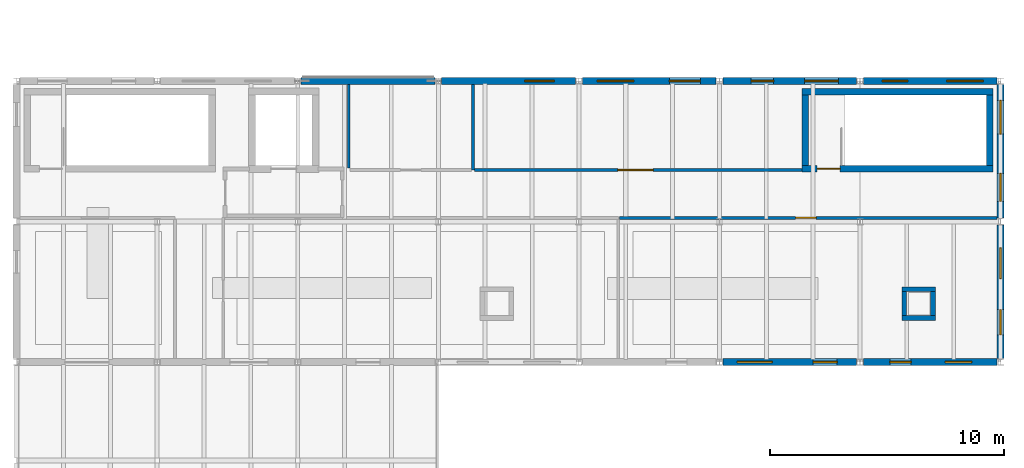
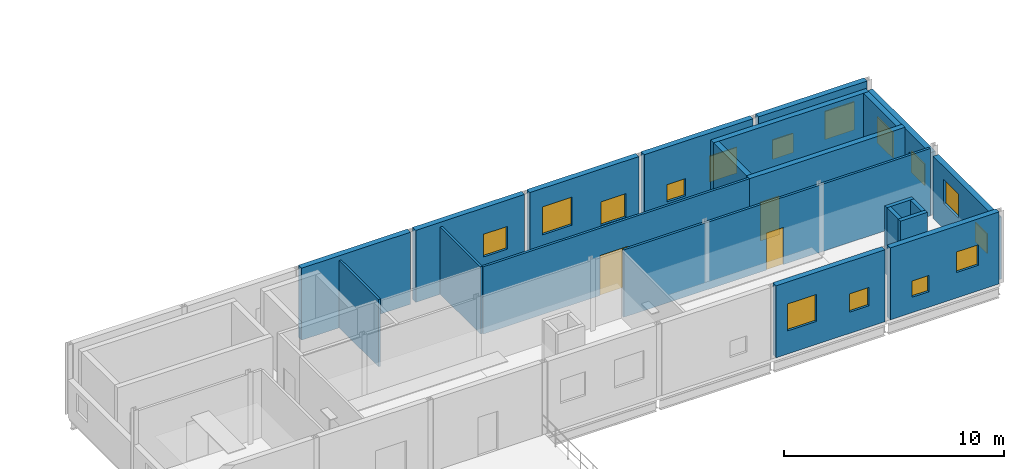
# One storey, part 35 of 45: 21 walls, 15 windows, 3 doors, 18 openings.
"""IFC4 building model written with IfcOpenShell, lengths in metres."""

from ifc_helpers import new_model, si_unit, direction, frame, frame_2d, origin, place, context, subcontext, project, spatial, rectangle, extrude, material, layer, layer_set, type_object, element, fill, save


model = new_model("IFC4")

# Units and contexts
model_context = context("Model", 3, precision=1e-05, world=origin(), true_north=direction((0.0, 1.0)))
body_context = subcontext(model_context, "Body", "Model", "MODEL_VIEW")
ifc_project = project(units=[si_unit("LENGTHUNIT", "METRE"), si_unit("AREAUNIT", "SQUARE_METRE"), si_unit("VOLUMEUNIT", "CUBIC_METRE"), si_unit("PLANEANGLEUNIT", "RADIAN"), si_unit("MASSUNIT", "GRAM", prefix="KILO")], contexts=[model_context])

# Site, building, storey
site_placement = place(None, origin())
site = spatial("IfcSite", under=ifc_project, at=site_placement, CompositionType="ELEMENT")
building_placement = place(site_placement, origin())
building = spatial("IfcBuilding", under=site, at=building_placement, Name="Siltcreek Boulevard Central Fire Station", CompositionType="ELEMENT")
storey_placement = place(building_placement, frame((0.0, 0.0, 10.0)))
storey = spatial("IfcBuildingStorey", under=building, at=storey_placement, Name="L03", CompositionType="ELEMENT", Elevation=10.0)

# Wall, opening, door
ifc_material_1 = material(Name="Concrete C40/50", Category="concrete")
ifc_layer_1 = layer(ifc_material_1, 0.280029296875, Name="Concrete C40/50")
ifc_layer_set_1 = layer_set([ifc_layer_1], Name="Concrete C40/50")
wall_type_1 = type_object("IfcWallType", Name="CW_SHEAR280", PredefinedType="SHEAR", material=ifc_layer_set_1)
wall_1_placement = place(storey_placement, frame((157.719970703125, 26.260009765625, 0.0), z_axis=(0.0, 0.0, 1.0), x_axis=(1.0, 0.0, 0.0)))
wall_1 = element("IfcWall", 1, at=wall_1_placement, inside=storey, type_object=wall_type_1, Name="L03 ST-V6B stair enclosure south shear wall", PredefinedType="SHEAR", context=body_context, shape_type="SweptSolid", body=[
    extrude(rectangle(XDim=8.159912109375, YDim=0.280029296875, at=frame_2d((4.080078125, 0.0))), origin(), (0.0, 0.0, 1.0), 3.75),
])
opening_1_placement = place(wall_1_placement, frame((0.64990234375, 0.0, 0.0)))
opening_1 = element("IfcOpeningElement", 2, at=opening_1_placement, cuts=wall_1, Name="Opening SD-049", PredefinedType="OPENING", context=body_context, shape_type="SweptSolid", body=[
    extrude(rectangle(XDim=0.97998046875, YDim=2.14990234375, at=frame_2d((0.489990234375, 1.074951171875))), frame((0.0, 0.14990234375, 0.0), z_axis=(0.0, -1.0, 0.0), x_axis=(1.0, 0.0, 0.0)), (0.0, 0.0, 1.0), 0.300048828125),
])
ifc_material_2 = material(Name="Hollow metal 90-min enclosed stair door")
door_type_1 = type_object("IfcDoorType", Name="DR_ST_098X215", OperationType="NOTDEFINED", PredefinedType="DOOR", material=ifc_material_2)
door_1_placement = place(opening_1_placement, origin())
door_1 = element("IfcDoor", 3, at=door_1_placement, inside=storey, type_object=door_type_1, Name="L03 ST-V6B enclosed exit stair door SD-049", OperationType="SINGLE_SWING_RIGHT", OverallHeight=2.14990234375, OverallWidth=0.97998046875, PredefinedType="DOOR", context=body_context, shape_type="SweptSolid", body=[
    extrude(rectangle(XDim=0.97998046875, YDim=2.14990234375, at=frame_2d((0.489990234375, 1.074951171875))), frame((0.0, 0.02490234375, 0.0), z_axis=(0.0, -1.0, 0.0), x_axis=(1.0, 0.0, 0.0)), (0.0, 0.0, 1.0), 0.050048828125),
])
fill(opening_1, door_1)

# Walls
wall_2_placement = place(storey_placement, frame((165.8798828125, 29.5400390625, 0.0), z_axis=(0.0, 0.0, 1.0), x_axis=(-1.0, 0.0, 0.0)))
element("IfcWall", 4, at=wall_2_placement, inside=storey, type_object=wall_type_1, Name="L03 ST-V6B stair enclosure north shear wall", PredefinedType="SHEAR", context=body_context, shape_type="SweptSolid", body=[
    extrude(rectangle(XDim=8.159912109375, YDim=0.280029296875, at=frame_2d((4.080078125, 0.0))), origin(), (0.0, 0.0, 1.0), 3.75),
])
for number, where, z_axis, x_axis, name in (
    (5, (157.860107421875, 29.39990234375, 0.0), (0.0, 0.0, 1.0), (0.0, -1.0, 0.0), "L03 ST-V6B stair enclosure west shear wall"),
    (6, (165.739990234375, 26.39990234375, 0.0), (0.0, 0.0, 1.0), (0.0, 1.0, 0.0), "L03 ST-V6B stair enclosure east shear wall"),
):
    element("IfcWall", number, at=place(storey_placement, frame(where, z_axis=z_axis, x_axis=x_axis)), inside=storey, type_object=wall_type_1, Name=name, PredefinedType="SHEAR", context=body_context, shape_type="SweptSolid", body=[
        extrude(rectangle(XDim=3.0, YDim=0.280029296875, at=frame_2d((1.5, 0.0))), origin(), (0.0, 0.0, 1.0), 3.75),
    ])

# Wall, openings, windows
ifc_material_3 = material(Name="White ribbed aluminum spandrel wall", Category="aluminium")
ifc_layer_2 = layer(ifc_material_3, 0.2900390625, Name="White ribbed aluminum spandrel wall")
ifc_layer_set_2 = layer_set([ifc_layer_2], Name="White ribbed aluminum spandrel wall")
wall_type_2 = type_object("IfcWallType", Name="EW_METAL290", PredefinedType="STANDARD", material=ifc_layer_set_2)
wall_3_placement = place(storey_placement, frame((154.344970703125, 18.0, 0.0), z_axis=(0.0, 0.0, 1.0), x_axis=(1.0, 0.0, 0.0)))
wall_3 = element("IfcWall", 7, at=wall_3_placement, inside=storey, type_object=wall_type_2, Name="L03 V6 exterior insulated rainscreen wall WL-EXT-L03-0490", PredefinedType="STANDARD", context=body_context, shape_type="SweptSolid", body=[
    extrude(rectangle(XDim=5.7099609375, YDim=0.2900390625, at=frame_2d((2.85498046875, 0.0))), origin(), (0.0, 0.0, 1.0), 4.0),
])
opening_2_placement = place(wall_3_placement, frame((0.60693359375, 0.0, 1.280029296875)))
opening_2 = element("IfcOpeningElement", 8, at=opening_2_placement, cuts=wall_3, Name="Opening WN42", PredefinedType="OPENING", context=body_context, shape_type="SweptSolid", body=[
    extrude(rectangle(XDim=1.5, YDim=1.5, at=frame_2d((0.75, 0.75))), frame((0.0, 0.155029296875, 0.0), z_axis=(0.0, -1.0, 0.0), x_axis=(1.0, 0.0, 0.0)), (0.0, 0.0, 1.0), 0.31005859375),
])
opening_3_placement = place(wall_3_placement, frame((3.855224609375, 0.0, 1.179931640625)))
opening_3 = element("IfcOpeningElement", 9, at=opening_3_placement, cuts=wall_3, Name="Opening WN38", PredefinedType="OPENING", context=body_context, shape_type="SweptSolid", body=[
    extrude(rectangle(XDim=1.02001953125, YDim=1.02001953125, at=frame_2d((0.510009765625, 0.510009765625))), frame((0.0, 0.155029296875, 0.0), z_axis=(0.0, -1.0, 0.0), x_axis=(1.0, 0.0, 0.0)), (0.0, 0.0, 1.0), 0.31005859375),
])
ifc_material_4 = material(Name="Thermally broken aluminum frame with low-E insulated glass", Category="aluminium")
window_type_1 = type_object("IfcWindowType", Name="WN_SQ_102X102", PartitioningType="SINGLE_PANEL", PredefinedType="WINDOW", material=ifc_material_4)
window_1_placement = place(opening_3_placement, origin())
window_1 = element("IfcWindow", 10, at=window_1_placement, inside=storey, type_object=window_type_1, Name="L03 V6 square exterior window WN-0226", OverallHeight=1.02001953125, OverallWidth=1.02001953125, PartitioningType="SINGLE_PANEL", PredefinedType="WINDOW", context=body_context, shape_type="SweptSolid", body=[
    extrude(rectangle(XDim=1.02001953125, YDim=1.02001953125, at=frame_2d((0.510009765625, 0.510009765625))), frame((0.0, 0.030029296875, 0.0), z_axis=(0.0, -1.0, 0.0), x_axis=(1.0, 0.0, 0.0)), (0.0, 0.0, 1.0), 0.06005859375),
])
fill(opening_3, window_1)
window_type_2 = type_object("IfcWindowType", Name="WN_SQ_150X150", PartitioningType="SINGLE_PANEL", PredefinedType="WINDOW", material=ifc_material_4)
window_2_placement = place(opening_2_placement, origin())
window_2 = element("IfcWindow", 11, at=window_2_placement, inside=storey, type_object=window_type_2, Name="L03 V6 square exterior window WN-0225", OverallHeight=1.5, OverallWidth=1.5, PartitioningType="SINGLE_PANEL", PredefinedType="WINDOW", context=body_context, shape_type="SweptSolid", body=[
    extrude(rectangle(XDim=1.5, YDim=1.5, at=frame_2d((0.75, 0.75))), frame((0.0, 0.030029296875, 0.0), z_axis=(0.0, -1.0, 0.0), x_axis=(1.0, 0.0, 0.0)), (0.0, 0.0, 1.0), 0.06005859375),
])
fill(opening_2, window_2)

wall_4_placement = place(storey_placement, frame((160.344970703125, 18.0, 0.0), z_axis=(0.0, 0.0, 1.0), x_axis=(1.0, 0.0, 0.0)))
wall_4 = element("IfcWall", 12, at=wall_4_placement, inside=storey, type_object=wall_type_2, Name="L03 V6 exterior insulated rainscreen wall WL-EXT-L03-0491", PredefinedType="STANDARD", context=body_context, shape_type="SweptSolid", body=[
    extrude(rectangle(XDim=5.7099609375, YDim=0.2900390625, at=frame_2d((2.85498046875, 0.0))), origin(), (0.0, 0.0, 1.0), 4.0),
])
opening_4_placement = place(wall_4_placement, frame((1.13134765625, 0.0, 0.860107421875)))
opening_4 = element("IfcOpeningElement", 13, at=opening_4_placement, cuts=wall_4, Name="Opening WN37", PredefinedType="OPENING", context=body_context, shape_type="SweptSolid", body=[
    extrude(rectangle(XDim=0.89990234375, YDim=0.89990234375, at=frame_2d((0.449951171875, 0.449951171875))), frame((0.0, 0.155029296875, 0.0), z_axis=(0.0, -1.0, 0.0), x_axis=(1.0, 0.0, 0.0)), (0.0, 0.0, 1.0), 0.31005859375),
])
opening_5_placement = place(wall_4_placement, frame((3.4833984375, 0.0, 1.419921875)))
opening_5 = element("IfcOpeningElement", 14, at=opening_5_placement, cuts=wall_4, Name="Opening WN39", PredefinedType="OPENING", context=body_context, shape_type="SweptSolid", body=[
    extrude(rectangle(XDim=1.139892578125, YDim=1.139892578125, at=frame_2d((0.56982421875, 0.56982421875))), frame((0.0, 0.155029296875, 0.0), z_axis=(0.0, -1.0, 0.0), x_axis=(1.0, 0.0, 0.0)), (0.0, 0.0, 1.0), 0.31005859375),
])
window_type_3 = type_object("IfcWindowType", Name="WN_SQ_090X090", PartitioningType="SINGLE_PANEL", PredefinedType="WINDOW", material=ifc_material_4)
window_3_placement = place(opening_4_placement, origin())
window_3 = element("IfcWindow", 15, at=window_3_placement, inside=storey, type_object=window_type_3, Name="L03 V6 square exterior window WN-0227", OverallHeight=0.89990234375, OverallWidth=0.89990234375, PartitioningType="SINGLE_PANEL", PredefinedType="WINDOW", context=body_context, shape_type="SweptSolid", body=[
    extrude(rectangle(XDim=0.89990234375, YDim=0.89990234375, at=frame_2d((0.449951171875, 0.449951171875))), frame((0.0, 0.030029296875, 0.0), z_axis=(0.0, -1.0, 0.0), x_axis=(1.0, 0.0, 0.0)), (0.0, 0.0, 1.0), 0.06005859375),
])
fill(opening_4, window_3)
window_type_4 = type_object("IfcWindowType", Name="WN_SQ_114X114", PartitioningType="SINGLE_PANEL", PredefinedType="WINDOW", material=ifc_material_4)
window_4_placement = place(opening_5_placement, origin())
window_4 = element("IfcWindow", 16, at=window_4_placement, inside=storey, type_object=window_type_4, Name="L03 V6 square exterior window WN-0228", OverallHeight=1.139892578125, OverallWidth=1.139892578125, PartitioningType="SINGLE_PANEL", PredefinedType="WINDOW", context=body_context, shape_type="SweptSolid", body=[
    extrude(rectangle(XDim=1.139892578125, YDim=1.139892578125, at=frame_2d((0.56982421875, 0.56982421875))), frame((0.0, 0.030029296875, 0.0), z_axis=(0.0, -1.0, 0.0), x_axis=(1.0, 0.0, 0.0)), (0.0, 0.0, 1.0), 0.06005859375),
])
fill(opening_5, window_4)

# Wall
wall_5_placement = place(storey_placement, frame((142.054931640625, 30.0, 0.0), z_axis=(0.0, 0.0, 1.0), x_axis=(-1.0, 0.0, 0.0)))
element("IfcWall", 17, at=wall_5_placement, inside=storey, type_object=wall_type_2, Name="L03 V6 exterior insulated rainscreen wall WL-EXT-L03-0494", PredefinedType="STANDARD", context=body_context, shape_type="SweptSolid", body=[
    extrude(rectangle(XDim=5.7099609375, YDim=0.2900390625, at=frame_2d((2.85498046875, 0.0))), origin(), (0.0, 0.0, 1.0), 4.0),
])

# Wall, opening, window
wall_6_placement = place(storey_placement, frame((148.054931640625, 30.0, 0.0), z_axis=(0.0, 0.0, 1.0), x_axis=(-1.0, 0.0, 0.0)))
wall_6 = element("IfcWall", 18, at=wall_6_placement, inside=storey, type_object=wall_type_2, Name="L03 V6 exterior insulated rainscreen wall WL-EXT-L03-0495", PredefinedType="STANDARD", context=body_context, shape_type="SweptSolid", body=[
    extrude(rectangle(XDim=5.7099609375, YDim=0.2900390625, at=frame_2d((2.85498046875, 0.0))), origin(), (0.0, 0.0, 1.0), 4.0),
])
opening_6_placement = place(wall_6_placement, frame((0.897216796875, 0.0, 1.280029296875)))
opening_6 = element("IfcOpeningElement", 19, at=opening_6_placement, cuts=wall_6, Name="Opening WN40", PredefinedType="OPENING", context=body_context, shape_type="SweptSolid", body=[
    extrude(rectangle(XDim=1.260009765625, YDim=1.260009765625, at=frame_2d((0.6298828125, 0.6298828125))), frame((0.0, 0.155029296875, 0.0), z_axis=(0.0, -1.0, 0.0), x_axis=(1.0, 0.0, 0.0)), (0.0, 0.0, 1.0), 0.31005859375),
])
window_type_5 = type_object("IfcWindowType", Name="WN_SQ_126X126", PartitioningType="SINGLE_PANEL", PredefinedType="WINDOW", material=ifc_material_4)
window_5_placement = place(opening_6_placement, origin())
window_5 = element("IfcWindow", 20, at=window_5_placement, inside=storey, type_object=window_type_5, Name="L03 V6 square exterior window WN-0233", OverallHeight=1.260009765625, OverallWidth=1.260009765625, PartitioningType="SINGLE_PANEL", PredefinedType="WINDOW", context=body_context, shape_type="SweptSolid", body=[
    extrude(rectangle(XDim=1.260009765625, YDim=1.260009765625, at=frame_2d((0.6298828125, 0.6298828125))), frame((0.0, 0.030029296875, 0.0), z_axis=(0.0, -1.0, 0.0), x_axis=(1.0, 0.0, 0.0)), (0.0, 0.0, 1.0), 0.06005859375),
])
fill(opening_6, window_5)

# Wall, openings, windows
wall_7_placement = place(storey_placement, frame((154.054931640625, 30.0, 0.0), z_axis=(0.0, 0.0, 1.0), x_axis=(-1.0, 0.0, 0.0)))
wall_7 = element("IfcWall", 21, at=wall_7_placement, inside=storey, type_object=wall_type_2, Name="L03 V6 exterior insulated rainscreen wall WL-EXT-L03-0496", PredefinedType="STANDARD", context=body_context, shape_type="SweptSolid", body=[
    extrude(rectangle(XDim=5.7099609375, YDim=0.2900390625, at=frame_2d((2.85498046875, 0.0))), origin(), (0.0, 0.0, 1.0), 4.0),
])
opening_7_placement = place(wall_7_placement, frame((0.669921875, 0.0, 0.860107421875)))
opening_7 = element("IfcOpeningElement", 22, at=opening_7_placement, cuts=wall_7, Name="Opening WN02", PredefinedType="OPENING", context=body_context, shape_type="SweptSolid", body=[
    extrude(rectangle(XDim=1.320068359375, YDim=1.320068359375, at=frame_2d((0.66015625, 0.66015625))), frame((0.0, 0.155029296875, 0.0), z_axis=(0.0, -1.0, 0.0), x_axis=(1.0, 0.0, 0.0)), (0.0, 0.0, 1.0), 0.31005859375),
])
opening_8_placement = place(wall_7_placement, frame((3.504150390625, 0.0, 1.419921875)))
opening_8 = element("IfcOpeningElement", 23, at=opening_8_placement, cuts=wall_7, Name="Opening WN04", PredefinedType="OPENING", context=body_context, shape_type="SweptSolid", body=[
    extrude(rectangle(XDim=1.56005859375, YDim=1.56005859375, at=frame_2d((0.780029296875, 0.780029296875))), frame((0.0, 0.155029296875, 0.0), z_axis=(0.0, -1.0, 0.0), x_axis=(1.0, 0.0, 0.0)), (0.0, 0.0, 1.0), 0.31005859375),
])
window_type_6 = type_object("IfcWindowType", Name="WN_SQ_132X132", PartitioningType="SINGLE_PANEL", PredefinedType="WINDOW", material=ifc_material_4)
window_6_placement = place(opening_7_placement, origin())
window_6 = element("IfcWindow", 24, at=window_6_placement, inside=storey, type_object=window_type_6, Name="L03 V6 square exterior window WN-0234", OverallHeight=1.320068359375, OverallWidth=1.320068359375, PartitioningType="SINGLE_PANEL", PredefinedType="WINDOW", context=body_context, shape_type="SweptSolid", body=[
    extrude(rectangle(XDim=1.320068359375, YDim=1.320068359375, at=frame_2d((0.66015625, 0.66015625))), frame((0.0, 0.030029296875, 0.0), z_axis=(0.0, -1.0, 0.0), x_axis=(1.0, 0.0, 0.0)), (0.0, 0.0, 1.0), 0.06005859375),
])
fill(opening_7, window_6)
window_type_7 = type_object("IfcWindowType", Name="WN_SQ_156X156", PartitioningType="SINGLE_PANEL", PredefinedType="WINDOW", material=ifc_material_4)
window_7_placement = place(opening_8_placement, origin())
window_7 = element("IfcWindow", 25, at=window_7_placement, inside=storey, type_object=window_type_7, Name="L03 V6 square exterior window WN-0235", OverallHeight=1.56005859375, OverallWidth=1.56005859375, PartitioningType="SINGLE_PANEL", PredefinedType="WINDOW", context=body_context, shape_type="SweptSolid", body=[
    extrude(rectangle(XDim=1.56005859375, YDim=1.56005859375, at=frame_2d((0.780029296875, 0.780029296875))), frame((0.0, 0.030029296875, 0.0), z_axis=(0.0, -1.0, 0.0), x_axis=(1.0, 0.0, 0.0)), (0.0, 0.0, 1.0), 0.06005859375),
])
fill(opening_8, window_7)

wall_8_placement = place(storey_placement, frame((160.054931640625, 30.0, 0.0), z_axis=(0.0, 0.0, 1.0), x_axis=(-1.0, 0.0, 0.0)))
wall_8 = element("IfcWall", 26, at=wall_8_placement, inside=storey, type_object=wall_type_2, Name="L03 V6 exterior insulated rainscreen wall WL-EXT-L03-0497", PredefinedType="STANDARD", context=body_context, shape_type="SweptSolid", body=[
    extrude(rectangle(XDim=5.7099609375, YDim=0.2900390625, at=frame_2d((2.85498046875, 0.0))), origin(), (0.0, 0.0, 1.0), 4.0),
])
opening_9_placement = place(wall_8_placement, frame((0.7802734375, 0.0, 1.179931640625)))
opening_9 = element("IfcOpeningElement", 27, at=opening_9_placement, cuts=wall_8, Name="Opening WN03", PredefinedType="OPENING", context=body_context, shape_type="SweptSolid", body=[
    extrude(rectangle(XDim=1.43994140625, YDim=1.43994140625, at=frame_2d((0.719970703125, 0.719970703125))), frame((0.0, 0.155029296875, 0.0), z_axis=(0.0, -1.0, 0.0), x_axis=(1.0, 0.0, 0.0)), (0.0, 0.0, 1.0), 0.31005859375),
])
opening_10_placement = place(wall_8_placement, frame((3.54638671875, 0.0, 0.9599609375)))
opening_10 = element("IfcOpeningElement", 28, at=opening_10_placement, cuts=wall_8, Name="Opening WN06", PredefinedType="OPENING", context=body_context, shape_type="SweptSolid", body=[
    extrude(rectangle(XDim=0.9599609375, YDim=0.9599609375, at=frame_2d((0.47998046875, 0.47998046875))), frame((0.0, 0.155029296875, 0.0), z_axis=(0.0, -1.0, 0.0), x_axis=(1.0, 0.0, 0.0)), (0.0, 0.0, 1.0), 0.31005859375),
])
window_type_8 = type_object("IfcWindowType", Name="WN_SQ_096X096", PartitioningType="SINGLE_PANEL", PredefinedType="WINDOW", material=ifc_material_4)
window_8_placement = place(opening_10_placement, origin())
window_8 = element("IfcWindow", 29, at=window_8_placement, inside=storey, type_object=window_type_8, Name="L03 V6 square exterior window WN-0237", OverallHeight=0.9599609375, OverallWidth=0.9599609375, PartitioningType="SINGLE_PANEL", PredefinedType="WINDOW", context=body_context, shape_type="SweptSolid", body=[
    extrude(rectangle(XDim=0.9599609375, YDim=0.9599609375, at=frame_2d((0.47998046875, 0.47998046875))), frame((0.0, 0.030029296875, 0.0), z_axis=(0.0, -1.0, 0.0), x_axis=(1.0, 0.0, 0.0)), (0.0, 0.0, 1.0), 0.06005859375),
])
fill(opening_10, window_8)
window_type_9 = type_object("IfcWindowType", Name="WN_SQ_144X144", PartitioningType="SINGLE_PANEL", PredefinedType="WINDOW", material=ifc_material_4)
window_9_placement = place(opening_9_placement, origin())
window_9 = element("IfcWindow", 30, at=window_9_placement, inside=storey, type_object=window_type_9, Name="L03 V6 square exterior window WN-0236", OverallHeight=1.43994140625, OverallWidth=1.43994140625, PartitioningType="SINGLE_PANEL", PredefinedType="WINDOW", context=body_context, shape_type="SweptSolid", body=[
    extrude(rectangle(XDim=1.43994140625, YDim=1.43994140625, at=frame_2d((0.719970703125, 0.719970703125))), frame((0.0, 0.030029296875, 0.0), z_axis=(0.0, -1.0, 0.0), x_axis=(1.0, 0.0, 0.0)), (0.0, 0.0, 1.0), 0.06005859375),
])
fill(opening_9, window_9)

wall_9_placement = place(storey_placement, frame((166.054931640625, 30.0, 0.0), z_axis=(0.0, 0.0, 1.0), x_axis=(-1.0, 0.0, 0.0)))
wall_9 = element("IfcWall", 31, at=wall_9_placement, inside=storey, type_object=wall_type_2, Name="L03 V6 exterior insulated rainscreen wall WL-EXT-L03-0498", PredefinedType="STANDARD", context=body_context, shape_type="SweptSolid", body=[
    extrude(rectangle(XDim=5.7099609375, YDim=0.2900390625, at=frame_2d((2.85498046875, 0.0))), origin(), (0.0, 0.0, 1.0), 4.0),
])
opening_11_placement = place(wall_9_placement, frame((0.5859375, 0.0, 1.419921875)))
opening_11 = element("IfcOpeningElement", 32, at=opening_11_placement, cuts=wall_9, Name="Opening WN04", PredefinedType="OPENING", context=body_context, shape_type="SweptSolid", body=[
    extrude(rectangle(XDim=1.56005859375, YDim=1.56005859375, at=frame_2d((0.780029296875, 0.780029296875))), frame((0.0, 0.155029296875, 0.0), z_axis=(0.0, -1.0, 0.0), x_axis=(1.0, 0.0, 0.0)), (0.0, 0.0, 1.0), 0.31005859375),
])
opening_12_placement = place(wall_9_placement, frame((3.816162109375, 0.0, 1.280029296875)))
opening_12 = element("IfcOpeningElement", 33, at=opening_12_placement, cuts=wall_9, Name="Opening WN05", PredefinedType="OPENING", context=body_context, shape_type="SweptSolid", body=[
    extrude(rectangle(XDim=1.080078125, YDim=1.080078125, at=frame_2d((0.5400390625, 0.5400390625))), frame((0.0, 0.155029296875, 0.0), z_axis=(0.0, -1.0, 0.0), x_axis=(1.0, 0.0, 0.0)), (0.0, 0.0, 1.0), 0.31005859375),
])
window_type_10 = type_object("IfcWindowType", Name="WN_SQ_108X108", PartitioningType="SINGLE_PANEL", PredefinedType="WINDOW", material=ifc_material_4)
window_10_placement = place(opening_12_placement, origin())
window_10 = element("IfcWindow", 34, at=window_10_placement, inside=storey, type_object=window_type_10, Name="L03 V6 square exterior window WN-0239", OverallHeight=1.080078125, OverallWidth=1.080078125, PartitioningType="SINGLE_PANEL", PredefinedType="WINDOW", context=body_context, shape_type="SweptSolid", body=[
    extrude(rectangle(XDim=1.080078125, YDim=1.080078125, at=frame_2d((0.5400390625, 0.5400390625))), frame((0.0, 0.030029296875, 0.0), z_axis=(0.0, -1.0, 0.0), x_axis=(1.0, 0.0, 0.0)), (0.0, 0.0, 1.0), 0.06005859375),
])
fill(opening_12, window_10)
window_11_placement = place(opening_11_placement, origin())
window_11 = element("IfcWindow", 35, at=window_11_placement, inside=storey, type_object=window_type_7, Name="L03 V6 square exterior window WN-0238", OverallHeight=1.56005859375, OverallWidth=1.56005859375, PartitioningType="SINGLE_PANEL", PredefinedType="WINDOW", context=body_context, shape_type="SweptSolid", body=[
    extrude(rectangle(XDim=1.56005859375, YDim=1.56005859375, at=frame_2d((0.780029296875, 0.780029296875))), frame((0.0, 0.030029296875, 0.0), z_axis=(0.0, -1.0, 0.0), x_axis=(1.0, 0.0, 0.0)), (0.0, 0.0, 1.0), 0.06005859375),
])
fill(opening_11, window_11)

wall_10_placement = place(storey_placement, frame((166.199951171875, 18.14501953125, 0.0), z_axis=(0.0, 0.0, 1.0), x_axis=(0.0, 1.0, 0.0)))
wall_10 = element("IfcWall", 36, at=wall_10_placement, inside=storey, type_object=wall_type_2, Name="L03 V6 exterior insulated rainscreen wall WL-EXT-L03-0501", PredefinedType="STANDARD", context=body_context, shape_type="SweptSolid", body=[
    extrude(rectangle(XDim=5.7099609375, YDim=0.2900390625, at=frame_2d((2.85498046875, 0.0))), origin(), (0.0, 0.0, 1.0), 3.462890625),
])
opening_13_placement = place(wall_10_placement, frame((1.014404296875, 0.0, 0.860107421875)))
opening_13 = element("IfcOpeningElement", 37, at=opening_13_placement, cuts=wall_10, Name="Opening WN05", PredefinedType="OPENING", context=body_context, shape_type="SweptSolid", body=[
    extrude(rectangle(XDim=1.080078125, YDim=1.080078125, at=frame_2d((0.5400390625, 0.5400390625))), frame((0.0, 0.155029296875, 0.0), z_axis=(0.0, -1.0, 0.0), x_axis=(1.0, 0.0, 0.0)), (0.0, 0.0, 1.0), 0.31005859375),
])
opening_14_placement = place(wall_10_placement, frame((3.42041015625, 0.0, 1.419921875)))
opening_14 = element("IfcOpeningElement", 38, at=opening_14_placement, cuts=wall_10, Name="Opening WN02", PredefinedType="OPENING", context=body_context, shape_type="SweptSolid", body=[
    extrude(rectangle(XDim=1.320068359375, YDim=1.320068359375, at=frame_2d((0.66015625, 0.66015625))), frame((0.0, 0.155029296875, 0.0), z_axis=(0.0, -1.0, 0.0), x_axis=(1.0, 0.0, 0.0)), (0.0, 0.0, 1.0), 0.31005859375),
])
window_12_placement = place(opening_13_placement, origin())
window_12 = element("IfcWindow", 39, at=window_12_placement, inside=storey, type_object=window_type_10, Name="L03 V6 square exterior window WN-0242", OverallHeight=1.080078125, OverallWidth=1.080078125, PartitioningType="SINGLE_PANEL", PredefinedType="WINDOW", context=body_context, shape_type="SweptSolid", body=[
    extrude(rectangle(XDim=1.080078125, YDim=1.080078125, at=frame_2d((0.5400390625, 0.5400390625))), frame((0.0, 0.030029296875, 0.0), z_axis=(0.0, -1.0, 0.0), x_axis=(1.0, 0.0, 0.0)), (0.0, 0.0, 1.0), 0.06005859375),
])
fill(opening_13, window_12)
window_13_placement = place(opening_14_placement, origin())
window_13 = element("IfcWindow", 40, at=window_13_placement, inside=storey, type_object=window_type_6, Name="L03 V6 square exterior window WN-0243", OverallHeight=1.320068359375, OverallWidth=1.320068359375, PartitioningType="SINGLE_PANEL", PredefinedType="WINDOW", context=body_context, shape_type="SweptSolid", body=[
    extrude(rectangle(XDim=1.320068359375, YDim=1.320068359375, at=frame_2d((0.66015625, 0.66015625))), frame((0.0, 0.030029296875, 0.0), z_axis=(0.0, -1.0, 0.0), x_axis=(1.0, 0.0, 0.0)), (0.0, 0.0, 1.0), 0.06005859375),
])
fill(opening_14, window_13)

wall_11_placement = place(storey_placement, frame((166.199951171875, 24.14501953125, 0.0), z_axis=(0.0, 0.0, 1.0), x_axis=(0.0, 1.0, 0.0)))
wall_11 = element("IfcWall", 41, at=wall_11_placement, inside=storey, type_object=wall_type_2, Name="L03 V6 exterior insulated rainscreen wall WL-EXT-L03-0502", PredefinedType="STANDARD", context=body_context, shape_type="SweptSolid", body=[
    extrude(rectangle(XDim=5.7099609375, YDim=0.2900390625, at=frame_2d((2.85498046875, 0.0))), origin(), (0.0, 0.0, 1.0), 3.462890625),
])
opening_15_placement = place(wall_11_placement, frame((0.7119140625, 0.0, 1.179931640625)))
opening_15 = element("IfcOpeningElement", 42, at=opening_15_placement, cuts=wall_11, Name="Opening WN01", PredefinedType="OPENING", context=body_context, shape_type="SweptSolid", body=[
    extrude(rectangle(XDim=1.199951171875, YDim=1.199951171875, at=frame_2d((0.60009765625, 0.60009765625))), frame((0.0, 0.155029296875, 0.0), z_axis=(0.0, -1.0, 0.0), x_axis=(1.0, 0.0, 0.0)), (0.0, 0.0, 1.0), 0.31005859375),
])
opening_16_placement = place(wall_11_placement, frame((3.582275390625, 0.0, 0.9599609375)))
opening_16 = element("IfcOpeningElement", 43, at=opening_16_placement, cuts=wall_11, Name="Opening WN03", PredefinedType="OPENING", context=body_context, shape_type="SweptSolid", body=[
    extrude(rectangle(XDim=1.43994140625, YDim=1.43994140625, at=frame_2d((0.719970703125, 0.719970703125))), frame((0.0, 0.155029296875, 0.0), z_axis=(0.0, -1.0, 0.0), x_axis=(1.0, 0.0, 0.0)), (0.0, 0.0, 1.0), 0.31005859375),
])
window_type_11 = type_object("IfcWindowType", Name="WN_SQ_120X120", PartitioningType="SINGLE_PANEL", PredefinedType="WINDOW", material=ifc_material_4)
window_14_placement = place(opening_15_placement, origin())
window_14 = element("IfcWindow", 44, at=window_14_placement, inside=storey, type_object=window_type_11, Name="L03 V6 square exterior window WN-0244", OverallHeight=1.199951171875, OverallWidth=1.199951171875, PartitioningType="SINGLE_PANEL", PredefinedType="WINDOW", context=body_context, shape_type="SweptSolid", body=[
    extrude(rectangle(XDim=1.199951171875, YDim=1.199951171875, at=frame_2d((0.60009765625, 0.60009765625))), frame((0.0, 0.030029296875, 0.0), z_axis=(0.0, -1.0, 0.0), x_axis=(1.0, 0.0, 0.0)), (0.0, 0.0, 1.0), 0.06005859375),
])
fill(opening_15, window_14)
window_15_placement = place(opening_16_placement, origin())
window_15 = element("IfcWindow", 45, at=window_15_placement, inside=storey, type_object=window_type_9, Name="L03 V6 square exterior window WN-0245", OverallHeight=1.43994140625, OverallWidth=1.43994140625, PartitioningType="SINGLE_PANEL", PredefinedType="WINDOW", context=body_context, shape_type="SweptSolid", body=[
    extrude(rectangle(XDim=1.43994140625, YDim=1.43994140625, at=frame_2d((0.719970703125, 0.719970703125))), frame((0.0, 0.030029296875, 0.0), z_axis=(0.0, -1.0, 0.0), x_axis=(1.0, 0.0, 0.0)), (0.0, 0.0, 1.0), 0.06005859375),
])
fill(opening_16, window_15)

# Walls
ifc_material_5 = material(Name="Fire-rated concrete masonry and gypsum barrier", Category="masonry")
ifc_layer_3 = layer(ifc_material_5, 0.199951171875, Name="Fire-rated concrete masonry and gypsum barrier")
ifc_layer_set_3 = layer_set([ifc_layer_3], Name="Fire-rated concrete masonry and gypsum barrier")
wall_type_3 = type_object("IfcWallType", Name="IW_FIRE200", PredefinedType="PARTITIONING", material=ifc_layer_set_3)
wall_12_placement = place(storey_placement, frame((161.985107421875, 19.885009765625, 0.0), z_axis=(0.0, 0.0, 1.0), x_axis=(1.0, 0.0, 0.0)))
element("IfcWall", 46, at=wall_12_placement, inside=storey, type_object=wall_type_3, Name="L03 enclosed MEP service riser wall 027-S", PredefinedType="PARTITIONING", context=body_context, shape_type="SweptSolid", body=[
    extrude(rectangle(XDim=1.429931640625, YDim=0.199951171875, at=frame_2d((0.71484375, 0.0))), origin(), (0.0, 0.0, 1.0), 3.739990234375),
])
wall_13_placement = place(storey_placement, frame((163.31494140625, 19.985107421875, 0.0), z_axis=(0.0, 0.0, 1.0), x_axis=(0.0, 1.0, 0.0)))
element("IfcWall", 47, at=wall_13_placement, inside=storey, type_object=wall_type_3, Name="L03 enclosed MEP service riser wall 027-E", PredefinedType="PARTITIONING", context=body_context, shape_type="SweptSolid", body=[
    extrude(rectangle(XDim=1.02978515625, YDim=0.199951171875, at=frame_2d((0.514892578125, 0.0))), origin(), (0.0, 0.0, 1.0), 3.739990234375),
])
wall_14_placement = place(storey_placement, frame((163.4150390625, 21.114990234375, 0.0), z_axis=(0.0, 0.0, 1.0), x_axis=(-1.0, 0.0, 0.0)))
element("IfcWall", 48, at=wall_14_placement, inside=storey, type_object=wall_type_3, Name="L03 enclosed MEP service riser wall 027-N", PredefinedType="PARTITIONING", context=body_context, shape_type="SweptSolid", body=[
    extrude(rectangle(XDim=1.429931640625, YDim=0.199951171875, at=frame_2d((0.71484375, 0.0))), origin(), (0.0, 0.0, 1.0), 3.739990234375),
])
wall_15_placement = place(storey_placement, frame((162.0849609375, 21.014892578125, 0.0), z_axis=(0.0, 0.0, 1.0), x_axis=(0.0, -1.0, 0.0)))
element("IfcWall", 49, at=wall_15_placement, inside=storey, type_object=wall_type_3, Name="L03 enclosed MEP service riser wall 027-W", PredefinedType="PARTITIONING", context=body_context, shape_type="SweptSolid", body=[
    extrude(rectangle(XDim=1.02978515625, YDim=0.199951171875, at=frame_2d((0.514892578125, 0.0))), origin(), (0.0, 0.0, 1.0), 3.739990234375),
])

# Wall, opening, door
ifc_material_6 = material(Name="Interior steel stud gypsum partition", Category="steel")
ifc_layer_4 = layer(ifc_material_6, 0.125, Name="Interior steel stud gypsum partition")
ifc_layer_set_4 = layer_set([ifc_layer_4], Name="Interior steel stud gypsum partition")
wall_type_4 = type_object("IfcWallType", Name="IW_PART125", PredefinedType="PARTITIONING", material=ifc_layer_set_4)
wall_16_placement = place(storey_placement, frame((149.9423828125, 24.159912109375, 0.0), z_axis=(0.0, 0.0, 1.0), x_axis=(1.0, 0.0, 0.0)))
wall_16 = element("IfcWall", 50, at=wall_16_placement, inside=storey, type_object=wall_type_4, Name="L03 Paramedic High Fidelity Skills Lab partition 0302", PredefinedType="PARTITIONING", context=body_context, shape_type="SweptSolid", body=[
    extrude(rectangle(XDim=16.112548828125, YDim=0.125, at=frame_2d((8.05615234375, 0.0))), origin(), (0.0, 0.0, 1.0), 3.739990234375),
])
opening_17_placement = place(wall_16_placement, frame((7.510009765625, 0.0, 0.0)))
opening_17 = element("IfcOpeningElement", 51, at=opening_17_placement, cuts=wall_16, Name="Opening ID09", PredefinedType="OPENING", context=body_context, shape_type="SweptSolid", body=[
    extrude(rectangle(XDim=0.8701171875, YDim=2.06005859375, at=frame_2d((0.43505859375, 1.030029296875))), frame((0.0, 0.072509765625, 0.0), z_axis=(0.0, -1.0, 0.0), x_axis=(1.0, 0.0, 0.0)), (0.0, 0.0, 1.0), 0.14501953125),
])
ifc_material_7 = material(Name="Moisture-resistant staff toilet door")
door_type_2 = type_object("IfcDoorType", Name="DR_WC_087X206", OperationType="NOTDEFINED", PredefinedType="DOOR", material=ifc_material_7)
door_2_placement = place(opening_17_placement, frame((0.8701171875, 0.0, 0.0), z_axis=(0.0, 0.0, 1.0), x_axis=(-1.0, 0.0, 0.0)))
door_2 = element("IfcDoor", 52, at=door_2_placement, inside=storey, type_object=door_type_2, Name="L03 Paramedic High Fidelity Skills Lab door ID-0133", OperationType="SINGLE_SWING_RIGHT", OverallHeight=2.06005859375, OverallWidth=0.8701171875, PredefinedType="DOOR", context=body_context, shape_type="SweptSolid", body=[
    extrude(rectangle(XDim=0.8701171875, YDim=2.06005859375, at=frame_2d((0.43505859375, 1.030029296875))), frame((0.0, 0.02490234375, 0.0), z_axis=(0.0, -1.0, 0.0), x_axis=(1.0, 0.0, 0.0)), (0.0, 0.0, 1.0), 0.050048828125),
])
fill(opening_17, door_2)

wall_17_placement = place(storey_placement, frame((157.719970703125, 26.199951171875, 0.0), z_axis=(0.0, 0.0, 1.0), x_axis=(-1.0, 0.0, 0.0)))
wall_17 = element("IfcWall", 53, at=wall_17_placement, inside=storey, type_object=wall_type_4, Name="L03 Simulation Control and Debrief Room partition 0306", PredefinedType="PARTITIONING", context=body_context, shape_type="SweptSolid", body=[
    extrude(rectangle(XDim=13.98486328125, YDim=0.125, at=frame_2d((6.992431640625, 0.0))), origin(), (0.0, 0.0, 1.0), 3.739990234375),
])
opening_18_placement = place(wall_17_placement, frame((6.35302734375, 0.0, 0.0)))
opening_18 = element("IfcOpeningElement", 54, at=opening_18_placement, cuts=wall_17, Name="Opening ID14", PredefinedType="OPENING", context=body_context, shape_type="SweptSolid", body=[
    extrude(rectangle(XDim=1.5, YDim=2.219970703125, at=frame_2d((0.75, 1.10986328125))), frame((0.0, 0.072509765625, 0.0), z_axis=(0.0, -1.0, 0.0), x_axis=(1.0, 0.0, 0.0)), (0.0, 0.0, 1.0), 0.14501953125),
])
ifc_material_8 = material(Name="Glazed conditioning gym pair")
door_type_3 = type_object("IfcDoorType", Name="DR_GYM_150X222", OperationType="NOTDEFINED", PredefinedType="DOOR", material=ifc_material_8)
door_3_placement = place(opening_18_placement, frame((1.5, 0.0, 0.0), z_axis=(0.0, 0.0, 1.0), x_axis=(-1.0, 0.0, 0.0)))
door_3 = element("IfcDoor", 55, at=door_3_placement, inside=storey, type_object=door_type_3, Name="L03 Simulation Control and Debrief Room door ID-0135", OperationType="SINGLE_SWING_RIGHT", OverallHeight=2.219970703125, OverallWidth=1.5, PredefinedType="DOOR", context=body_context, shape_type="SweptSolid", body=[
    extrude(rectangle(XDim=1.5, YDim=2.219970703125, at=frame_2d((0.75, 1.10986328125))), frame((0.0, 0.02490234375, 0.0), z_axis=(0.0, -1.0, 0.0), x_axis=(1.0, 0.0, 0.0)), (0.0, 0.0, 1.0), 0.050048828125),
])
fill(opening_18, door_3)

# Walls
ifc_material_9 = material(Name="Moisture-resistant tile backer toilet partition", Category="gypsum")
ifc_layer_5 = layer(ifc_material_9, 0.110107421875, Name="Moisture-resistant tile backer toilet partition")
ifc_layer_set_5 = layer_set([ifc_layer_5], Name="Moisture-resistant tile backer toilet partition")
wall_type_5 = type_object("IfcWallType", Name="IW_WET110", PredefinedType="PARTITIONING", material=ifc_layer_set_5)
wall_18_placement = place(storey_placement, frame((138.3701171875, 26.280029296875, 0.0), z_axis=(0.0, 0.0, 1.0), x_axis=(0.0, 1.0, 0.0)))
element("IfcWall", 56, at=wall_18_placement, inside=storey, type_object=wall_type_5, Name="L03 Simulation Accessible Toilet L03 partition 0303", PredefinedType="PARTITIONING", context=body_context, shape_type="SweptSolid", body=[
    extrude(rectangle(XDim=3.574951171875, YDim=0.110107421875, at=frame_2d((1.78759765625, 0.0))), origin(), (0.0, 0.0, 1.0), 3.739990234375),
])
wall_19_placement = place(storey_placement, frame((143.679931640625, 29.85498046875, 0.0), z_axis=(0.0, 0.0, 1.0), x_axis=(0.0, -1.0, 0.0)))
element("IfcWall", 57, at=wall_19_placement, inside=storey, type_object=wall_type_5, Name="L03 Simulation Accessible Toilet L03 partition 0304", PredefinedType="PARTITIONING", context=body_context, shape_type="SweptSolid", body=[
    extrude(rectangle(XDim=3.64990234375, YDim=0.110107421875, at=frame_2d((1.824951171875, 0.0))), origin(), (0.0, 0.0, 1.0), 3.739990234375),
])

save(model, "model.ifc")
